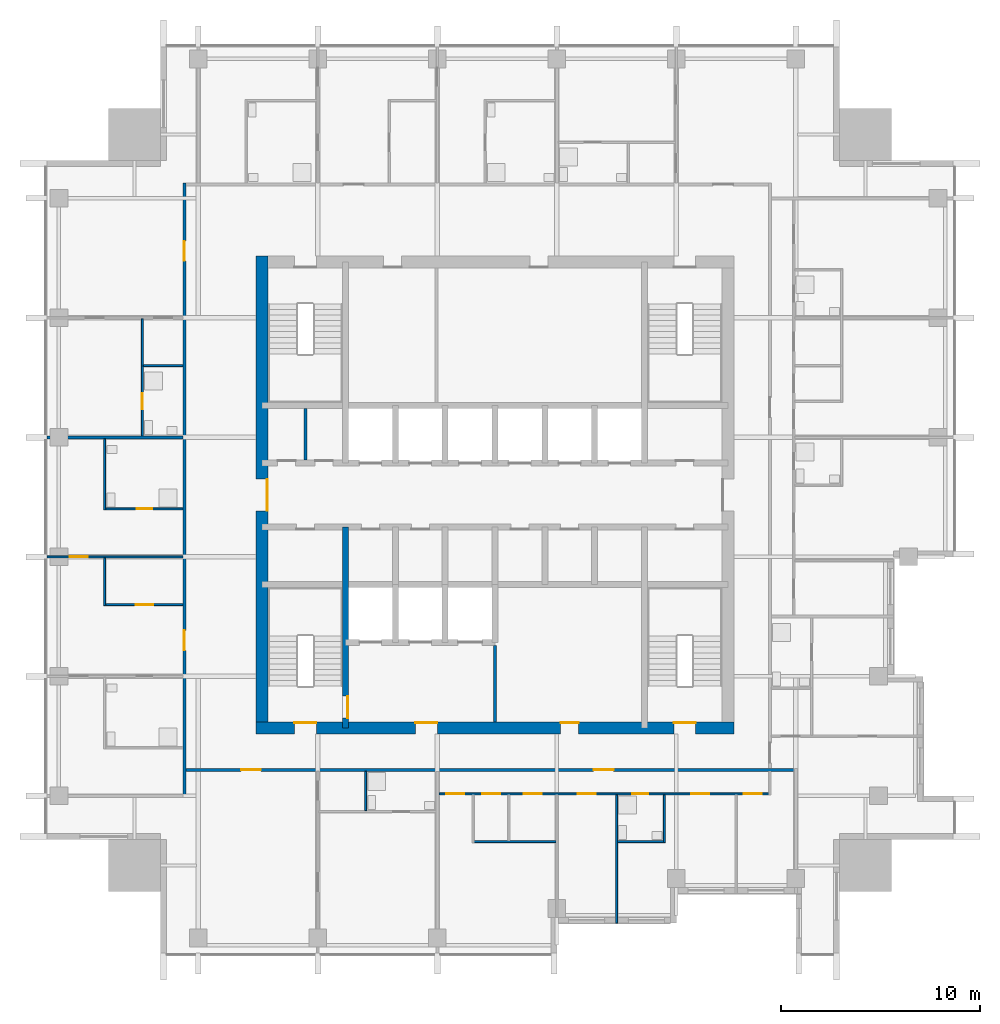
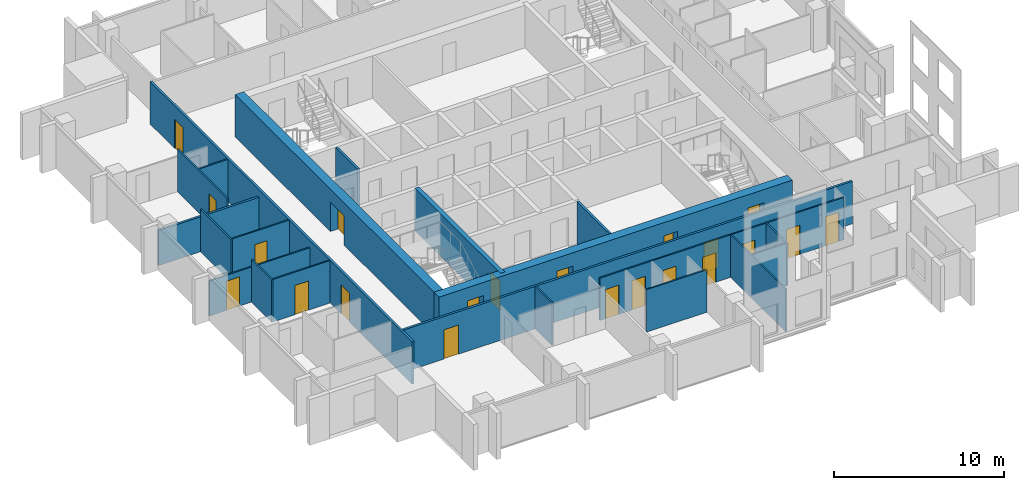
# One storey, part 4 of 11: 21 doors, 21 walls, 21 openings.
"""IFC4 building model written with IfcOpenShell, lengths in metres."""

from ifc_helpers import new_model, si_unit, direction, frame, frame_2d, origin, place, context, subcontext, project, spatial, rectangle, extrude, material, layer, layer_set, type_object, element, fill, save


model = new_model("IFC4")

# Units and contexts
model_context = context("Model", 3, precision=1e-05, world=origin(), true_north=direction((0.0, 1.0)))
body_context = subcontext(model_context, "Body", "Model", "MODEL_VIEW")
ifc_project = project(units=[si_unit("LENGTHUNIT", "METRE"), si_unit("AREAUNIT", "SQUARE_METRE"), si_unit("VOLUMEUNIT", "CUBIC_METRE"), si_unit("PLANEANGLEUNIT", "RADIAN"), si_unit("MASSUNIT", "GRAM", prefix="KILO")], contexts=[model_context])

# Site, building, storey
site_placement = place(None, origin())
site = spatial("IfcSite", under=ifc_project, at=site_placement, CompositionType="ELEMENT")
building_placement = place(site_placement, origin())
building = spatial("IfcBuilding", under=site, at=building_placement, Name="Amberfall Residences", CompositionType="ELEMENT")
storey_placement = place(building_placement, frame((0.0, 0.0, 196.89990234375)))
storey = spatial("IfcBuildingStorey", under=building, at=storey_placement, Name="L52", CompositionType="ELEMENT", Elevation=196.89990234375)

# Wall, opening, door
ifc_material_1 = material(Name="Concrete C55", Category="concrete")
ifc_layer_1 = layer(ifc_material_1, 0.300048828125)
ifc_layer_set_1 = layer_set([ifc_layer_1], Name="Core wall 300 C55")
wall_type_1 = type_object("IfcWallType", Name="Core wall 300 C55", PredefinedType="SHEAR", material=ifc_layer_set_1)
wall_1_placement = place(storey_placement, frame((67.0, 33.800048828125, 0.0), z_axis=(0.0, 0.0, 1.0), x_axis=(0.0, 1.0, 0.0)))
wall_1 = element("IfcWall", 1, at=wall_1_placement, inside=storey, type_object=wall_type_1, Name="Core wall RW8 L52 V45S", PredefinedType="SHEAR", context=body_context, shape_type="SweptSolid", body=[
    extrude(rectangle(XDim=10.099853515625, YDim=0.300048828125, at=frame_2d((5.0498046875, 0.0))), origin(), (0.0, 0.0, 1.0), 3.050048828125),
])
opening_1_placement = place(wall_1_placement, frame((0.5, 0.0, 0.0)))
opening_1 = element("IfcOpeningElement", 2, at=opening_1_placement, cuts=wall_1, Name="Opening FL1", PredefinedType="OPENING", context=body_context, shape_type="SweptSolid", body=[
    extrude(rectangle(XDim=1.10009765625, YDim=2.10009765625, at=frame_2d((0.550048828125, 1.050048828125))), frame((0.0, 0.159912109375, 0.0), z_axis=(0.0, -1.0, 0.0), x_axis=(1.0, 0.0, 0.0)), (0.0, 0.0, 1.0), 0.320068359375),
])
ifc_material_2 = material(Name="Steel fire door set", Category="steel")
door_type_1 = type_object("IfcDoorType", Name="Firefighting lobby door 1100 x 2100", OperationType="SINGLE_SWING_LEFT", PredefinedType="DOOR", material=ifc_material_2)
door_1_placement = place(opening_1_placement, origin())
door_1 = element("IfcDoor", 3, at=door_1_placement, inside=storey, type_object=door_type_1, Name="FL1 L52", OperationType="SINGLE_SWING_RIGHT", OverallHeight=2.10009765625, OverallWidth=1.10009765625, PredefinedType="DOOR", context=body_context, shape_type="SweptSolid", body=[
    extrude(rectangle(XDim=1.10009765625, YDim=2.10009765625, at=frame_2d((0.550048828125, 1.050048828125))), frame((0.0, -0.08740234375, 0.0), z_axis=(0.0, -1.0, 0.0), x_axis=(1.0, 0.0, 0.0)), (0.0, 0.0, 1.0), 0.050048828125),
])
fill(opening_1, door_1)

# Wall, openings, doors
ifc_layer_2 = layer(ifc_material_1, 0.60009765625)
ifc_layer_set_2 = layer_set([ifc_layer_2], Name="Core wall 600 C55")
wall_type_2 = type_object("IfcWallType", Name="Core wall 600 C55", PredefinedType="SHEAR", material=ifc_layer_set_2)
wall_2_placement = place(storey_placement, frame((62.5, 33.800048828125, 0.0), z_axis=(0.0, 0.0, 1.0), x_axis=(1.0, 0.0, 0.0)))
wall_2 = element("IfcWall", 4, at=wall_2_placement, inside=storey, type_object=wall_type_2, Name="Core wall RW7 L52 OS", PredefinedType="SHEAR", context=body_context, shape_type="SweptSolid", body=[
    extrude(rectangle(XDim=24.0, YDim=0.60009765625, at=frame_2d((12.0, 0.0))), origin(), (0.0, 0.0, 1.0), 3.050048828125),
])
opening_2_placement = place(wall_2_placement, frame((1.925048828125, 0.0, 0.0)))
opening_2 = element("IfcOpeningElement", 5, at=opening_2_placement, cuts=wall_2, Name="Opening SD1", PredefinedType="OPENING", context=body_context, shape_type="SweptSolid", body=[
    extrude(rectangle(XDim=1.10009765625, YDim=2.10009765625, at=frame_2d((0.550048828125, 1.050048828125))), frame((0.0, 0.31005859375, 0.0), z_axis=(0.0, -1.0, 0.0), x_axis=(1.0, 0.0, 0.0)), (0.0, 0.0, 1.0), 0.6201171875),
])
opening_3_placement = place(wall_2_placement, frame((20.97509765625, 0.0, 0.0)))
opening_3 = element("IfcOpeningElement", 6, at=opening_3_placement, cuts=wall_2, Name="Opening SD1", PredefinedType="OPENING", context=body_context, shape_type="SweptSolid", body=[
    extrude(rectangle(XDim=1.10009765625, YDim=2.10009765625, at=frame_2d((0.550048828125, 1.050048828125))), frame((0.0, 0.31005859375, 0.0), z_axis=(0.0, -1.0, 0.0), x_axis=(1.0, 0.0, 0.0)), (0.0, 0.0, 1.0), 0.6201171875),
])
opening_4_placement = place(wall_2_placement, frame((8.0, 0.0, 0.0)))
opening_4 = element("IfcOpeningElement", 7, at=opening_4_placement, cuts=wall_2, Name="Opening FL1", PredefinedType="OPENING", context=body_context, shape_type="SweptSolid", body=[
    extrude(rectangle(XDim=1.10009765625, YDim=2.10009765625, at=frame_2d((0.550048828125, 1.050048828125))), frame((0.0, 0.31005859375, 0.0), z_axis=(0.0, -1.0, 0.0), x_axis=(1.0, 0.0, 0.0)), (0.0, 0.0, 1.0), 0.6201171875),
])
opening_5_placement = place(wall_2_placement, frame((15.300048828125, 0.0, 0.0)))
opening_5 = element("IfcOpeningElement", 8, at=opening_5_placement, cuts=wall_2, Name="Opening RD1", PredefinedType="OPENING", context=body_context, shape_type="SweptSolid", body=[
    extrude(rectangle(XDim=0.89990234375, YDim=2.10009765625, at=frame_2d((0.449951171875, 1.050048828125))), frame((0.0, 0.31005859375, 0.0), z_axis=(0.0, -1.0, 0.0), x_axis=(1.0, 0.0, 0.0)), (0.0, 0.0, 1.0), 0.6201171875),
])
door_2_placement = place(opening_4_placement, origin())
door_2 = element("IfcDoor", 9, at=door_2_placement, inside=storey, type_object=door_type_1, Name="FL1 L52", OperationType="SINGLE_SWING_LEFT", OverallHeight=2.10009765625, OverallWidth=1.10009765625, PredefinedType="DOOR", context=body_context, shape_type="SweptSolid", body=[
    extrude(rectangle(XDim=1.10009765625, YDim=2.10009765625, at=frame_2d((0.550048828125, 1.050048828125))), frame((0.0, 0.28759765625, 0.0), z_axis=(0.0, -1.0, 0.0), x_axis=(1.0, 0.0, 0.0)), (0.0, 0.0, 1.0), 0.050048828125),
])
fill(opening_4, door_2)
door_type_2 = type_object("IfcDoorType", Name="Service room door 900 x 2100", OperationType="SINGLE_SWING_LEFT", PredefinedType="DOOR", material=ifc_material_2)
door_3_placement = place(opening_5_placement, origin())
door_3 = element("IfcDoor", 10, at=door_3_placement, inside=storey, type_object=door_type_2, Name="RD1 L52", OperationType="SINGLE_SWING_LEFT", OverallHeight=2.10009765625, OverallWidth=0.89990234375, PredefinedType="DOOR", context=body_context, shape_type="SweptSolid", body=[
    extrude(rectangle(XDim=0.89990234375, YDim=2.10009765625, at=frame_2d((0.449951171875, 1.050048828125))), frame((0.0, 0.28759765625, 0.0), z_axis=(0.0, -1.0, 0.0), x_axis=(1.0, 0.0, 0.0)), (0.0, 0.0, 1.0), 0.050048828125),
])
fill(opening_5, door_3)
door_type_3 = type_object("IfcDoorType", Name="Stair door 1100 x 2100", OperationType="SINGLE_SWING_LEFT", PredefinedType="DOOR", material=ifc_material_2)
door_4_placement = place(opening_2_placement, origin())
door_4 = element("IfcDoor", 11, at=door_4_placement, inside=storey, type_object=door_type_3, Name="SD1 L52", OperationType="SINGLE_SWING_LEFT", OverallHeight=2.10009765625, OverallWidth=1.10009765625, PredefinedType="DOOR", context=body_context, shape_type="SweptSolid", body=[
    extrude(rectangle(XDim=1.10009765625, YDim=2.10009765625, at=frame_2d((0.550048828125, 1.050048828125))), frame((0.0, 0.28759765625, 0.0), z_axis=(0.0, -1.0, 0.0), x_axis=(1.0, 0.0, 0.0)), (0.0, 0.0, 1.0), 0.050048828125),
])
fill(opening_2, door_4)
door_5_placement = place(opening_3_placement, origin())
door_5 = element("IfcDoor", 12, at=door_5_placement, inside=storey, type_object=door_type_3, Name="SD1 L52", OperationType="SINGLE_SWING_RIGHT", OverallHeight=2.10009765625, OverallWidth=1.10009765625, PredefinedType="DOOR", context=body_context, shape_type="SweptSolid", body=[
    extrude(rectangle(XDim=1.10009765625, YDim=2.10009765625, at=frame_2d((0.550048828125, 1.050048828125))), frame((0.0, 0.28759765625, 0.0), z_axis=(0.0, -1.0, 0.0), x_axis=(1.0, 0.0, 0.0)), (0.0, 0.0, 1.0), 0.050048828125),
])
fill(opening_3, door_5)

# Wall, opening, door
wall_3_placement = place(storey_placement, frame((62.800048828125, 33.5, 0.0), z_axis=(0.0, 0.0, 1.0), x_axis=(0.0, 1.0, 0.0)))
wall_3 = element("IfcWall", 13, at=wall_3_placement, inside=storey, type_object=wall_type_2, Name="Core wall RW7 L52 OW", PredefinedType="SHEAR", context=body_context, shape_type="SweptSolid", body=[
    extrude(rectangle(XDim=24.0, YDim=0.60009765625, at=frame_2d((12.0, 0.0))), origin(), (0.0, 0.0, 1.0), 3.050048828125),
])
opening_6_placement = place(wall_3_placement, frame((11.199951171875, 0.0, 0.0)))
opening_6 = element("IfcOpeningElement", 14, at=opening_6_placement, cuts=wall_3, Name="Opening LB1", PredefinedType="OPENING", context=body_context, shape_type="SweptSolid", body=[
    extrude(rectangle(XDim=1.60009765625, YDim=2.10009765625, at=frame_2d((0.800048828125, 1.050048828125))), frame((0.0, 0.31005859375, 0.0), z_axis=(0.0, -1.0, 0.0), x_axis=(1.0, 0.0, 0.0)), (0.0, 0.0, 1.0), 0.6201171875),
])
door_type_4 = type_object("IfcDoorType", Name="Lift lobby double door 1600 x 2100", OperationType="DOUBLE_DOOR_SINGLE_SWING", PredefinedType="DOOR", material=ifc_material_2)
door_6_placement = place(opening_6_placement, origin())
door_6 = element("IfcDoor", 15, at=door_6_placement, inside=storey, type_object=door_type_4, Name="LB1 L52", OperationType="DOUBLE_DOOR_SINGLE_SWING", OverallHeight=2.10009765625, OverallWidth=1.60009765625, PredefinedType="DOOR", context=body_context, shape_type="SweptSolid", body=[
    extrude(rectangle(XDim=1.60009765625, YDim=2.10009765625, at=frame_2d((0.800048828125, 1.050048828125))), frame((0.0, -0.2373046875, 0.0), z_axis=(0.0, -1.0, 0.0), x_axis=(1.0, 0.0, 0.0)), (0.0, 0.0, 1.0), 0.050048828125),
])
fill(opening_6, door_6)

# Walls
ifc_material_3 = material(Name="Gypsum board on metal stud")
ifc_layer_3 = layer(ifc_material_3, 0.10009765625)
ifc_layer_set_3 = layer_set([ifc_layer_3], Name="Flat partition 100")
wall_type_3 = type_object("IfcWallType", Name="Flat partition 100", PredefinedType="PARTITIONING", material=ifc_layer_set_3)
wall_4_placement = place(storey_placement, frame((54.89990234375, 39.949951171875, 0.0), z_axis=(0.0, 0.0, 1.0), x_axis=(0.0, 1.0, 0.0)))
element("IfcWall", 16, at=wall_4_placement, inside=storey, type_object=wall_type_3, Name="Partition 002", PredefinedType="PARTITIONING", context=body_context, shape_type="SweptSolid", body=[
    extrude(rectangle(XDim=2.400146484375, YDim=0.10009765625, at=frame_2d((1.2001953125, 0.0))), origin(), (0.0, 0.0, 1.0), 3.050048828125),
])
wall_5_placement = place(storey_placement, frame((54.89990234375, 44.75, 0.0), z_axis=(0.0, 0.0, 1.0), x_axis=(0.0, 1.0, 0.0)))
element("IfcWall", 17, at=wall_5_placement, inside=storey, type_object=wall_type_3, Name="Partition 003", PredefinedType="PARTITIONING", context=body_context, shape_type="SweptSolid", body=[
    extrude(rectangle(XDim=3.574951171875, YDim=0.10009765625, at=frame_2d((1.78759765625, 0.0))), origin(), (0.0, 0.0, 1.0), 3.050048828125),
])

# Wall, opening, door
wall_6_placement = place(storey_placement, frame((56.800048828125, 54.35009765625, 0.0), z_axis=(0.0, 0.0, 1.0), x_axis=(0.0, -1.0, 0.0)))
wall_6 = element("IfcWall", 18, at=wall_6_placement, inside=storey, type_object=wall_type_3, Name="Partition 004", PredefinedType="PARTITIONING", context=body_context, shape_type="SweptSolid", body=[
    extrude(rectangle(XDim=5.875, YDim=0.10009765625, at=frame_2d((2.9375, 0.0))), origin(), (0.0, 0.0, 1.0), 3.050048828125),
])
opening_7_placement = place(wall_6_placement, frame((3.75, 0.0, 0.0)))
opening_7 = element("IfcOpeningElement", 19, at=opening_7_placement, cuts=wall_6, Name="Opening D42", PredefinedType="OPENING", context=body_context, shape_type="SweptSolid", body=[
    extrude(rectangle(XDim=0.800048828125, YDim=2.10009765625, at=frame_2d((0.39990234375, 1.050048828125))), frame((0.0, 0.06005859375, 0.0), z_axis=(0.0, -1.0, 0.0), x_axis=(1.0, 0.0, 0.0)), (0.0, 0.0, 1.0), 0.1201171875),
])
ifc_material_4 = material(Name="Timber", Category="wood")
door_type_5 = type_object("IfcDoorType", Name="Bathroom door 800 x 2100", OperationType="SINGLE_SWING_LEFT", PredefinedType="DOOR", material=ifc_material_4)
door_7_placement = place(opening_7_placement, origin())
door_7 = element("IfcDoor", 20, at=door_7_placement, inside=storey, type_object=door_type_5, Name="Door 5208 bath1", OperationType="SINGLE_SWING_LEFT", OverallHeight=2.10009765625, OverallWidth=0.800048828125, PredefinedType="DOOR", context=body_context, shape_type="SweptSolid", body=[
    extrude(rectangle(XDim=0.800048828125, YDim=2.10009765625, at=frame_2d((0.39990234375, 1.050048828125))), frame((0.0, 0.02490234375, 0.0), z_axis=(0.0, -1.0, 0.0), x_axis=(1.0, 0.0, 0.0)), (0.0, 0.0, 1.0), 0.050048828125),
])
fill(opening_7, door_7)

# Walls
wall_7_placement = place(storey_placement, frame((68.0, 29.64990234375, 0.0), z_axis=(0.0, 0.0, 1.0), x_axis=(0.0, 1.0, 0.0)))
element("IfcWall", 21, at=wall_7_placement, inside=storey, type_object=wall_type_3, Name="Partition 008", PredefinedType="PARTITIONING", context=body_context, shape_type="SweptSolid", body=[
    extrude(rectangle(XDim=1.97509765625, YDim=0.10009765625, at=frame_2d((0.987548828125, 0.0))), origin(), (0.0, 0.0, 1.0), 3.050048828125),
])
wall_8_placement = place(storey_placement, frame((80.60009765625, 24.0, 0.0), z_axis=(0.0, 0.0, 1.0), x_axis=(0.0, 1.0, 0.0)))
element("IfcWall", 22, at=wall_8_placement, inside=storey, type_object=wall_type_3, Name="Partition 015", PredefinedType="PARTITIONING", context=body_context, shape_type="SweptSolid", body=[
    extrude(rectangle(XDim=6.449951171875, YDim=0.10009765625, at=frame_2d((3.22509765625, 0.0))), origin(), (0.0, 0.0, 1.0), 3.050048828125),
])
wall_9_placement = place(storey_placement, frame((83.0, 28.050048828125, 0.0), z_axis=(0.0, 0.0, 1.0), x_axis=(0.0, 1.0, 0.0)))
element("IfcWall", 23, at=wall_9_placement, inside=storey, type_object=wall_type_3, Name="Partition 017", PredefinedType="PARTITIONING", context=body_context, shape_type="SweptSolid", body=[
    extrude(rectangle(XDim=2.39990234375, YDim=0.10009765625, at=frame_2d((1.199951171875, 0.0))), origin(), (0.0, 0.0, 1.0), 3.050048828125),
])
wall_10_placement = place(storey_placement, frame((56.85009765625, 52.0, 0.0), z_axis=(0.0, 0.0, 1.0), x_axis=(1.0, 0.0, 0.0)))
element("IfcWall", 24, at=wall_10_placement, inside=storey, type_object=wall_type_3, Name="Partition 032", PredefinedType="PARTITIONING", context=body_context, shape_type="SweptSolid", body=[
    extrude(rectangle(XDim=1.974853515625, YDim=0.10009765625, at=frame_2d((0.9873046875, 0.0))), origin(), (0.0, 0.0, 1.0), 3.050048828125),
])

# Wall, opening, door
wall_11_placement = place(storey_placement, frame((54.949951171875, 44.800048828125, 0.0), z_axis=(0.0, 0.0, 1.0), x_axis=(1.0, 0.0, 0.0)))
wall_11 = element("IfcWall", 25, at=wall_11_placement, inside=storey, type_object=wall_type_3, Name="Partition 037", PredefinedType="PARTITIONING", context=body_context, shape_type="SweptSolid", body=[
    extrude(rectangle(XDim=3.875, YDim=0.10009765625, at=frame_2d((1.9375, 0.0))), origin(), (0.0, 0.0, 1.0), 3.050048828125),
])
opening_8_placement = place(wall_11_placement, frame((1.550048828125, 0.0, 0.0)))
opening_8 = element("IfcOpeningElement", 26, at=opening_8_placement, cuts=wall_11, Name="Opening D42", PredefinedType="OPENING", context=body_context, shape_type="SweptSolid", body=[
    extrude(rectangle(XDim=0.800048828125, YDim=2.10009765625, at=frame_2d((0.39990234375, 1.050048828125))), frame((0.0, 0.06005859375, 0.0), z_axis=(0.0, -1.0, 0.0), x_axis=(1.0, 0.0, 0.0)), (0.0, 0.0, 1.0), 0.1201171875),
])
door_8_placement = place(opening_8_placement, origin())
door_8 = element("IfcDoor", 27, at=door_8_placement, inside=storey, type_object=door_type_5, Name="Door 5207 bath2", OperationType="SINGLE_SWING_LEFT", OverallHeight=2.10009765625, OverallWidth=0.800048828125, PredefinedType="DOOR", context=body_context, shape_type="SweptSolid", body=[
    extrude(rectangle(XDim=0.800048828125, YDim=2.10009765625, at=frame_2d((0.39990234375, 1.050048828125))), frame((0.0, 0.02490234375, 0.0), z_axis=(0.0, -1.0, 0.0), x_axis=(1.0, 0.0, 0.0)), (0.0, 0.0, 1.0), 0.050048828125),
])
fill(opening_8, door_8)

wall_12_placement = place(storey_placement, frame((52.0, 42.39990234375, 0.0), z_axis=(0.0, 0.0, 1.0), x_axis=(1.0, 0.0, 0.0)))
wall_12 = element("IfcWall", 28, at=wall_12_placement, inside=storey, type_object=wall_type_3, Name="Partition 038", PredefinedType="PARTITIONING", context=body_context, shape_type="SweptSolid", body=[
    extrude(rectangle(XDim=6.824951171875, YDim=0.10009765625, at=frame_2d((3.41259765625, 0.0))), origin(), (0.0, 0.0, 1.0), 2.51611328125),
])
opening_9_placement = place(wall_12_placement, frame((1.14990234375, 0.0, 0.0)))
opening_9 = element("IfcOpeningElement", 29, at=opening_9_placement, cuts=wall_12, Name="Opening D41", PredefinedType="OPENING", context=body_context, shape_type="SweptSolid", body=[
    extrude(rectangle(XDim=0.89990234375, YDim=2.10009765625, at=frame_2d((0.449951171875, 1.050048828125))), frame((0.0, 0.06005859375, 0.0), z_axis=(0.0, -1.0, 0.0), x_axis=(1.0, 0.0, 0.0)), (0.0, 0.0, 1.0), 0.1201171875),
])
door_type_6 = type_object("IfcDoorType", Name="Internal door 900 x 2100", OperationType="SINGLE_SWING_LEFT", PredefinedType="DOOR", material=ifc_material_4)
door_9_placement = place(opening_9_placement, origin())
door_9 = element("IfcDoor", 30, at=door_9_placement, inside=storey, type_object=door_type_6, Name="Door 5207 bedroom2", OperationType="SINGLE_SWING_LEFT", OverallHeight=2.10009765625, OverallWidth=0.89990234375, PredefinedType="DOOR", context=body_context, shape_type="SweptSolid", body=[
    extrude(rectangle(XDim=0.89990234375, YDim=2.10009765625, at=frame_2d((0.449951171875, 1.050048828125))), frame((0.0, 0.02490234375, 0.0), z_axis=(0.0, -1.0, 0.0), x_axis=(1.0, 0.0, 0.0)), (0.0, 0.0, 1.0), 0.050048828125),
])
fill(opening_9, door_9)

wall_13_placement = place(storey_placement, frame((54.949951171875, 40.0, 0.0), z_axis=(0.0, 0.0, 1.0), x_axis=(1.0, 0.0, 0.0)))
wall_13 = element("IfcWall", 31, at=wall_13_placement, inside=storey, type_object=wall_type_3, Name="Partition 040", PredefinedType="PARTITIONING", context=body_context, shape_type="SweptSolid", body=[
    extrude(rectangle(XDim=3.875, YDim=0.10009765625, at=frame_2d((1.9375, 0.0))), origin(), (0.0, 0.0, 1.0), 3.050048828125),
])
opening_10_placement = place(wall_13_placement, frame((1.5, 0.0, 0.0)))
opening_10 = element("IfcOpeningElement", 32, at=opening_10_placement, cuts=wall_13, Name="Opening D41", PredefinedType="OPENING", context=body_context, shape_type="SweptSolid", body=[
    extrude(rectangle(XDim=0.89990234375, YDim=2.10009765625, at=frame_2d((0.449951171875, 1.050048828125))), frame((0.0, 0.06005859375, 0.0), z_axis=(0.0, -1.0, 0.0), x_axis=(1.0, 0.0, 0.0)), (0.0, 0.0, 1.0), 0.1201171875),
])
door_10_placement = place(opening_10_placement, origin())
door_10 = element("IfcDoor", 33, at=door_10_placement, inside=storey, type_object=door_type_6, Name="Door 5207 kitchen", OperationType="SINGLE_SWING_LEFT", OverallHeight=2.10009765625, OverallWidth=0.89990234375, PredefinedType="DOOR", context=body_context, shape_type="SweptSolid", body=[
    extrude(rectangle(XDim=0.89990234375, YDim=2.10009765625, at=frame_2d((0.449951171875, 1.050048828125))), frame((0.0, 0.02490234375, 0.0), z_axis=(0.0, -1.0, 0.0), x_axis=(1.0, 0.0, 0.0)), (0.0, 0.0, 1.0), 0.050048828125),
])
fill(opening_10, door_10)

# Wall, openings, doors
wall_14_placement = place(storey_placement, frame((88.25, 30.5, 0.0), z_axis=(0.0, 0.0, 1.0), x_axis=(-1.0, 0.0, 0.0)))
wall_14 = element("IfcWall", 34, at=wall_14_placement, inside=storey, type_object=wall_type_3, Name="Partition 045", PredefinedType="PARTITIONING", context=body_context, shape_type="SweptSolid", body=[
    extrude(rectangle(XDim=16.574951171875, YDim=0.10009765625, at=frame_2d((8.28759765625, 0.0))), origin(), (0.0, 0.0, 1.0), 3.050048828125),
])
opening_11_placement = place(wall_14_placement, frame((15.300048828125, 0.0, 0.0)))
opening_11 = element("IfcOpeningElement", 35, at=opening_11_placement, cuts=wall_14, Name="Opening D41", PredefinedType="OPENING", context=body_context, shape_type="SweptSolid", body=[
    extrude(rectangle(XDim=0.89990234375, YDim=2.10009765625, at=frame_2d((0.449951171875, 1.050048828125))), frame((0.0, 0.06005859375, 0.0), z_axis=(0.0, -1.0, 0.0), x_axis=(1.0, 0.0, 0.0)), (0.0, 0.0, 1.0), 0.1201171875),
])
opening_12_placement = place(wall_14_placement, frame((11.39990234375, 0.0, 0.0)))
opening_12 = element("IfcOpeningElement", 36, at=opening_12_placement, cuts=wall_14, Name="Opening D41", PredefinedType="OPENING", context=body_context, shape_type="SweptSolid", body=[
    extrude(rectangle(XDim=0.89990234375, YDim=2.10009765625, at=frame_2d((0.449951171875, 1.050048828125))), frame((0.0, 0.06005859375, 0.0), z_axis=(0.0, -1.0, 0.0), x_axis=(1.0, 0.0, 0.0)), (0.0, 0.0, 1.0), 0.1201171875),
])
opening_13_placement = place(wall_14_placement, frame((13.5, 0.0, 0.0)))
opening_13 = element("IfcOpeningElement", 37, at=opening_13_placement, cuts=wall_14, Name="Opening D41", PredefinedType="OPENING", context=body_context, shape_type="SweptSolid", body=[
    extrude(rectangle(XDim=0.89990234375, YDim=2.10009765625, at=frame_2d((0.449951171875, 1.050048828125))), frame((0.0, 0.06005859375, 0.0), z_axis=(0.0, -1.0, 0.0), x_axis=(1.0, 0.0, 0.0)), (0.0, 0.0, 1.0), 0.1201171875),
])
opening_14_placement = place(wall_14_placement, frame((8.699951171875, 0.0, 0.0)))
opening_14 = element("IfcOpeningElement", 38, at=opening_14_placement, cuts=wall_14, Name="Opening D41", PredefinedType="OPENING", context=body_context, shape_type="SweptSolid", body=[
    extrude(rectangle(XDim=0.89990234375, YDim=2.10009765625, at=frame_2d((0.449951171875, 1.050048828125))), frame((0.0, 0.06005859375, 0.0), z_axis=(0.0, -1.0, 0.0), x_axis=(1.0, 0.0, 0.0)), (0.0, 0.0, 1.0), 0.1201171875),
])
opening_15_placement = place(wall_14_placement, frame((3.0, 0.0, 0.0)))
opening_15 = element("IfcOpeningElement", 39, at=opening_15_placement, cuts=wall_14, Name="Opening D41", PredefinedType="OPENING", context=body_context, shape_type="SweptSolid", body=[
    extrude(rectangle(XDim=0.89990234375, YDim=2.10009765625, at=frame_2d((0.449951171875, 1.050048828125))), frame((0.0, 0.06005859375, 0.0), z_axis=(0.0, -1.0, 0.0), x_axis=(1.0, 0.0, 0.0)), (0.0, 0.0, 1.0), 0.1201171875),
])
opening_16_placement = place(wall_14_placement, frame((0.35009765625, 0.0, 0.0)))
opening_16 = element("IfcOpeningElement", 40, at=opening_16_placement, cuts=wall_14, Name="Opening D41", PredefinedType="OPENING", context=body_context, shape_type="SweptSolid", body=[
    extrude(rectangle(XDim=0.89990234375, YDim=2.10009765625, at=frame_2d((0.449951171875, 1.050048828125))), frame((0.0, 0.06005859375, 0.0), z_axis=(0.0, -1.0, 0.0), x_axis=(1.0, 0.0, 0.0)), (0.0, 0.0, 1.0), 0.1201171875),
])
opening_17_placement = place(wall_14_placement, frame((6.050048828125, 0.0, 0.0)))
opening_17 = element("IfcOpeningElement", 41, at=opening_17_placement, cuts=wall_14, Name="Opening D42", PredefinedType="OPENING", context=body_context, shape_type="SweptSolid", body=[
    extrude(rectangle(XDim=0.800048828125, YDim=2.10009765625, at=frame_2d((0.39990234375, 1.050048828125))), frame((0.0, 0.06005859375, 0.0), z_axis=(0.0, -1.0, 0.0), x_axis=(1.0, 0.0, 0.0)), (0.0, 0.0, 1.0), 0.1201171875),
])
door_11_placement = place(opening_17_placement, origin())
door_11 = element("IfcDoor", 42, at=door_11_placement, inside=storey, type_object=door_type_5, Name="Door 5202 bath1", OperationType="SINGLE_SWING_LEFT", OverallHeight=2.10009765625, OverallWidth=0.800048828125, PredefinedType="DOOR", context=body_context, shape_type="SweptSolid", body=[
    extrude(rectangle(XDim=0.800048828125, YDim=2.10009765625, at=frame_2d((0.39990234375, 1.050048828125))), frame((0.0, 0.02490234375, 0.0), z_axis=(0.0, -1.0, 0.0), x_axis=(1.0, 0.0, 0.0)), (0.0, 0.0, 1.0), 0.050048828125),
])
fill(opening_17, door_11)
door_12_placement = place(opening_11_placement, origin())
door_12 = element("IfcDoor", 43, at=door_12_placement, inside=storey, type_object=door_type_6, Name="Door 5202 living", OperationType="SINGLE_SWING_LEFT", OverallHeight=2.10009765625, OverallWidth=0.89990234375, PredefinedType="DOOR", context=body_context, shape_type="SweptSolid", body=[
    extrude(rectangle(XDim=0.89990234375, YDim=2.10009765625, at=frame_2d((0.449951171875, 1.050048828125))), frame((0.0, 0.02490234375, 0.0), z_axis=(0.0, -1.0, 0.0), x_axis=(1.0, 0.0, 0.0)), (0.0, 0.0, 1.0), 0.050048828125),
])
fill(opening_11, door_12)
door_13_placement = place(opening_12_placement, origin())
door_13 = element("IfcDoor", 44, at=door_13_placement, inside=storey, type_object=door_type_6, Name="Door 5202 kitchen", OperationType="SINGLE_SWING_LEFT", OverallHeight=2.10009765625, OverallWidth=0.89990234375, PredefinedType="DOOR", context=body_context, shape_type="SweptSolid", body=[
    extrude(rectangle(XDim=0.89990234375, YDim=2.10009765625, at=frame_2d((0.449951171875, 1.050048828125))), frame((0.0, 0.02490234375, 0.0), z_axis=(0.0, -1.0, 0.0), x_axis=(1.0, 0.0, 0.0)), (0.0, 0.0, 1.0), 0.050048828125),
])
fill(opening_12, door_13)
door_14_placement = place(opening_13_placement, origin())
door_14 = element("IfcDoor", 45, at=door_14_placement, inside=storey, type_object=door_type_6, Name="Door 5202 utility", OperationType="SINGLE_SWING_LEFT", OverallHeight=2.10009765625, OverallWidth=0.89990234375, PredefinedType="DOOR", context=body_context, shape_type="SweptSolid", body=[
    extrude(rectangle(XDim=0.89990234375, YDim=2.10009765625, at=frame_2d((0.449951171875, 1.050048828125))), frame((0.0, 0.02490234375, 0.0), z_axis=(0.0, -1.0, 0.0), x_axis=(1.0, 0.0, 0.0)), (0.0, 0.0, 1.0), 0.050048828125),
])
fill(opening_13, door_14)
door_15_placement = place(opening_14_placement, origin())
door_15 = element("IfcDoor", 46, at=door_15_placement, inside=storey, type_object=door_type_6, Name="Door 5202 bedroom1", OperationType="SINGLE_SWING_LEFT", OverallHeight=2.10009765625, OverallWidth=0.89990234375, PredefinedType="DOOR", context=body_context, shape_type="SweptSolid", body=[
    extrude(rectangle(XDim=0.89990234375, YDim=2.10009765625, at=frame_2d((0.449951171875, 1.050048828125))), frame((0.0, 0.02490234375, 0.0), z_axis=(0.0, -1.0, 0.0), x_axis=(1.0, 0.0, 0.0)), (0.0, 0.0, 1.0), 0.050048828125),
])
fill(opening_14, door_15)
door_16_placement = place(opening_15_placement, origin())
door_16 = element("IfcDoor", 47, at=door_16_placement, inside=storey, type_object=door_type_6, Name="Door 5202 bedroom2", OperationType="SINGLE_SWING_LEFT", OverallHeight=2.10009765625, OverallWidth=0.89990234375, PredefinedType="DOOR", context=body_context, shape_type="SweptSolid", body=[
    extrude(rectangle(XDim=0.89990234375, YDim=2.10009765625, at=frame_2d((0.449951171875, 1.050048828125))), frame((0.0, 0.02490234375, 0.0), z_axis=(0.0, -1.0, 0.0), x_axis=(1.0, 0.0, 0.0)), (0.0, 0.0, 1.0), 0.050048828125),
])
fill(opening_15, door_16)
door_17_placement = place(opening_16_placement, origin())
door_17 = element("IfcDoor", 48, at=door_17_placement, inside=storey, type_object=door_type_6, Name="Door 5202 bedroom3", OperationType="SINGLE_SWING_LEFT", OverallHeight=2.10009765625, OverallWidth=0.89990234375, PredefinedType="DOOR", context=body_context, shape_type="SweptSolid", body=[
    extrude(rectangle(XDim=0.89990234375, YDim=2.10009765625, at=frame_2d((0.449951171875, 1.050048828125))), frame((0.0, 0.02490234375, 0.0), z_axis=(0.0, -1.0, 0.0), x_axis=(1.0, 0.0, 0.0)), (0.0, 0.0, 1.0), 0.050048828125),
])
fill(opening_16, door_17)

# Walls
wall_15_placement = place(storey_placement, frame((73.449951171875, 28.10009765625, 0.0), z_axis=(0.0, 0.0, 1.0), x_axis=(1.0, 0.0, 0.0)))
element("IfcWall", 49, at=wall_15_placement, inside=storey, type_object=wall_type_3, Name="Partition 047", PredefinedType="PARTITIONING", context=body_context, shape_type="SweptSolid", body=[
    extrude(rectangle(XDim=4.10009765625, YDim=0.10009765625, at=frame_2d((2.050048828125, 0.0))), origin(), (0.0, 0.0, 1.0), 3.050048828125),
])
wall_16_placement = place(storey_placement, frame((80.64990234375, 28.10009765625, 0.0), z_axis=(0.0, 0.0, 1.0), x_axis=(1.0, 0.0, 0.0)))
element("IfcWall", 50, at=wall_16_placement, inside=storey, type_object=wall_type_3, Name="Partition 048", PredefinedType="PARTITIONING", context=body_context, shape_type="SweptSolid", body=[
    extrude(rectangle(XDim=2.300048828125, YDim=0.10009765625, at=frame_2d((1.14990234375, 0.0))), origin(), (0.0, 0.0, 1.0), 3.050048828125),
])

# Wall, openings, doors
ifc_material_5 = material(Name="Blockwork, plastered", Category="masonry")
ifc_layer_4 = layer(ifc_material_5, 0.14990234375)
ifc_layer_set_4 = layer_set([ifc_layer_4], Name="Flat separating wall 150")
wall_type_4 = type_object("IfcWallType", Name="Flat separating wall 150", PredefinedType="PARTITIONING", material=ifc_layer_set_4)
wall_17_placement = place(storey_placement, frame((58.89990234375, 30.324951171875, 0.0), z_axis=(0.0, 0.0, 1.0), x_axis=(0.0, 1.0, 0.0)))
wall_17 = element("IfcWall", 51, at=wall_17_placement, inside=storey, type_object=wall_type_4, Name="Separating wall 049", PredefinedType="PARTITIONING", context=body_context, shape_type="SweptSolid", body=[
    extrude(rectangle(XDim=30.85009765625, YDim=0.14990234375, at=frame_2d((15.425048828125, 0.0))), origin(), (0.0, 0.0, 1.0), 3.050048828125),
])
opening_18_placement = place(wall_17_placement, frame((7.375, 0.0, 0.0)))
opening_18 = element("IfcOpeningElement", 52, at=opening_18_placement, cuts=wall_17, Name="Opening D40", PredefinedType="OPENING", context=body_context, shape_type="SweptSolid", body=[
    extrude(rectangle(XDim=1.0, YDim=2.10009765625, at=frame_2d((0.5, 1.050048828125))), frame((0.0, 0.0849609375, 0.0), z_axis=(0.0, -1.0, 0.0), x_axis=(1.0, 0.0, 0.0)), (0.0, 0.0, 1.0), 0.169921875),
])
opening_19_placement = place(wall_17_placement, frame((26.925048828125, 0.0, 0.0)))
opening_19 = element("IfcOpeningElement", 53, at=opening_19_placement, cuts=wall_17, Name="Opening D40", PredefinedType="OPENING", context=body_context, shape_type="SweptSolid", body=[
    extrude(rectangle(XDim=1.0, YDim=2.10009765625, at=frame_2d((0.5, 1.050048828125))), frame((0.0, 0.0849609375, 0.0), z_axis=(0.0, -1.0, 0.0), x_axis=(1.0, 0.0, 0.0)), (0.0, 0.0, 1.0), 0.169921875),
])
ifc_material_6 = material(Name="Timber, fire-rated", Category="wood")
door_type_7 = type_object("IfcDoorType", Name="Flat entrance door FD60 1000 x 2100", OperationType="SINGLE_SWING_LEFT", PredefinedType="DOOR", material=ifc_material_6)
door_18_placement = place(opening_18_placement, origin())
door_18 = element("IfcDoor", 54, at=door_18_placement, inside=storey, type_object=door_type_7, Name="Door 5207 entrance", OperationType="SINGLE_SWING_LEFT", OverallHeight=2.10009765625, OverallWidth=1.0, PredefinedType="DOOR", context=body_context, shape_type="SweptSolid", body=[
    extrude(rectangle(XDim=1.0, YDim=2.10009765625, at=frame_2d((0.5, 1.050048828125))), frame((0.0, 0.02490234375, 0.0), z_axis=(0.0, -1.0, 0.0), x_axis=(1.0, 0.0, 0.0)), (0.0, 0.0, 1.0), 0.050048828125),
])
fill(opening_18, door_18)
door_19_placement = place(opening_19_placement, origin())
door_19 = element("IfcDoor", 55, at=door_19_placement, inside=storey, type_object=door_type_7, Name="Door 5208 entrance", OperationType="SINGLE_SWING_LEFT", OverallHeight=2.10009765625, OverallWidth=1.0, PredefinedType="DOOR", context=body_context, shape_type="SweptSolid", body=[
    extrude(rectangle(XDim=1.0, YDim=2.10009765625, at=frame_2d((0.5, 1.050048828125))), frame((0.0, 0.02490234375, 0.0), z_axis=(0.0, -1.0, 0.0), x_axis=(1.0, 0.0, 0.0)), (0.0, 0.0, 1.0), 0.050048828125),
])
fill(opening_19, door_19)

# Wall
wall_18_placement = place(storey_placement, frame((52.0, 48.39990234375, 0.0), z_axis=(0.0, 0.0, 1.0), x_axis=(1.0, 0.0, 0.0)))
element("IfcWall", 56, at=wall_18_placement, inside=storey, type_object=wall_type_4, Name="Separating wall 057", PredefinedType="PARTITIONING", context=body_context, shape_type="SweptSolid", body=[
    extrude(rectangle(XDim=6.824951171875, YDim=0.14990234375, at=frame_2d((3.41259765625, 0.0))), origin(), (0.0, 0.0, 1.0), 2.51611328125),
])

# Wall, openings, doors
wall_19_placement = place(storey_placement, frame((89.52490234375, 31.699951171875, 0.0), z_axis=(0.0, 0.0, 1.0), x_axis=(-1.0, 0.0, 0.0)))
wall_19 = element("IfcWall", 57, at=wall_19_placement, inside=storey, type_object=wall_type_4, Name="Separating wall 059", PredefinedType="PARTITIONING", context=body_context, shape_type="SweptSolid", body=[
    extrude(rectangle(XDim=30.5498046875, YDim=0.14990234375, at=frame_2d((15.27490234375, 0.0))), origin(), (0.0, 0.0, 1.0), 3.050048828125),
])
opening_20_placement = place(wall_19_placement, frame((26.77490234375, 0.0, 0.0)))
opening_20 = element("IfcOpeningElement", 58, at=opening_20_placement, cuts=wall_19, Name="Opening D40", PredefinedType="OPENING", context=body_context, shape_type="SweptSolid", body=[
    extrude(rectangle(XDim=1.0, YDim=2.10009765625, at=frame_2d((0.5, 1.050048828125))), frame((0.0, 0.0849609375, 0.0), z_axis=(0.0, -1.0, 0.0), x_axis=(1.0, 0.0, 0.0)), (0.0, 0.0, 1.0), 0.169921875),
])
opening_21_placement = place(wall_19_placement, frame((9.074951171875, 0.0, 0.0)))
opening_21 = element("IfcOpeningElement", 59, at=opening_21_placement, cuts=wall_19, Name="Opening D40", PredefinedType="OPENING", context=body_context, shape_type="SweptSolid", body=[
    extrude(rectangle(XDim=1.0, YDim=2.10009765625, at=frame_2d((0.5, 1.050048828125))), frame((0.0, 0.0849609375, 0.0), z_axis=(0.0, -1.0, 0.0), x_axis=(1.0, 0.0, 0.0)), (0.0, 0.0, 1.0), 0.169921875),
])
door_20_placement = place(opening_20_placement, origin())
door_20 = element("IfcDoor", 60, at=door_20_placement, inside=storey, type_object=door_type_7, Name="Door 5201 entrance", OperationType="SINGLE_SWING_LEFT", OverallHeight=2.10009765625, OverallWidth=1.0, PredefinedType="DOOR", context=body_context, shape_type="SweptSolid", body=[
    extrude(rectangle(XDim=1.0, YDim=2.10009765625, at=frame_2d((0.5, 1.050048828125))), frame((0.0, 0.02490234375, 0.0), z_axis=(0.0, -1.0, 0.0), x_axis=(1.0, 0.0, 0.0)), (0.0, 0.0, 1.0), 0.050048828125),
])
fill(opening_20, door_20)
door_21_placement = place(opening_21_placement, origin())
door_21 = element("IfcDoor", 61, at=door_21_placement, inside=storey, type_object=door_type_7, Name="Door 5202 entrance", OperationType="SINGLE_SWING_LEFT", OverallHeight=2.10009765625, OverallWidth=1.0, PredefinedType="DOOR", context=body_context, shape_type="SweptSolid", body=[
    extrude(rectangle(XDim=1.0, YDim=2.10009765625, at=frame_2d((0.5, 1.050048828125))), frame((0.0, 0.02490234375, 0.0), z_axis=(0.0, -1.0, 0.0), x_axis=(1.0, 0.0, 0.0)), (0.0, 0.0, 1.0), 0.050048828125),
])
fill(opening_21, door_21)

# Walls
ifc_material_7 = material(Name="Concrete blockwork", Category="masonry")
ifc_layer_5 = layer(ifc_material_7, 0.14990234375)
ifc_layer_set_5 = layer_set([ifc_layer_5], Name="Riser wall 150")
wall_type_5 = type_object("IfcWallType", Name="Riser wall 150", PredefinedType="PLUMBINGWALL", material=ifc_layer_set_5)
wall_20_placement = place(storey_placement, frame((74.5, 34.10009765625, 0.0), z_axis=(0.0, 0.0, 1.0), x_axis=(0.0, 1.0, 0.0)))
element("IfcWall", 62, at=wall_20_placement, inside=storey, type_object=wall_type_5, Name="L52 core wall PX", PredefinedType="PLUMBINGWALL", context=body_context, shape_type="SweptSolid", body=[
    extrude(rectangle(XDim=3.849853515625, YDim=0.14990234375, at=frame_2d((1.9248046875, 0.0))), origin(), (0.0, 0.0, 1.0), 3.050048828125),
])
wall_21_placement = place(storey_placement, frame((64.97509765625, 47.25, 0.0), z_axis=(0.0, 0.0, 1.0), x_axis=(0.0, 1.0, 0.0)))
element("IfcWall", 63, at=wall_21_placement, inside=storey, type_object=wall_type_5, Name="L52 core wall ANW0", PredefinedType="PLUMBINGWALL", context=body_context, shape_type="SweptSolid", body=[
    extrude(rectangle(XDim=2.60009765625, YDim=0.14990234375, at=frame_2d((1.300048828125, 0.0))), origin(), (0.0, 0.0, 1.0), 3.050048828125),
])

save(model, "model.ifc")
